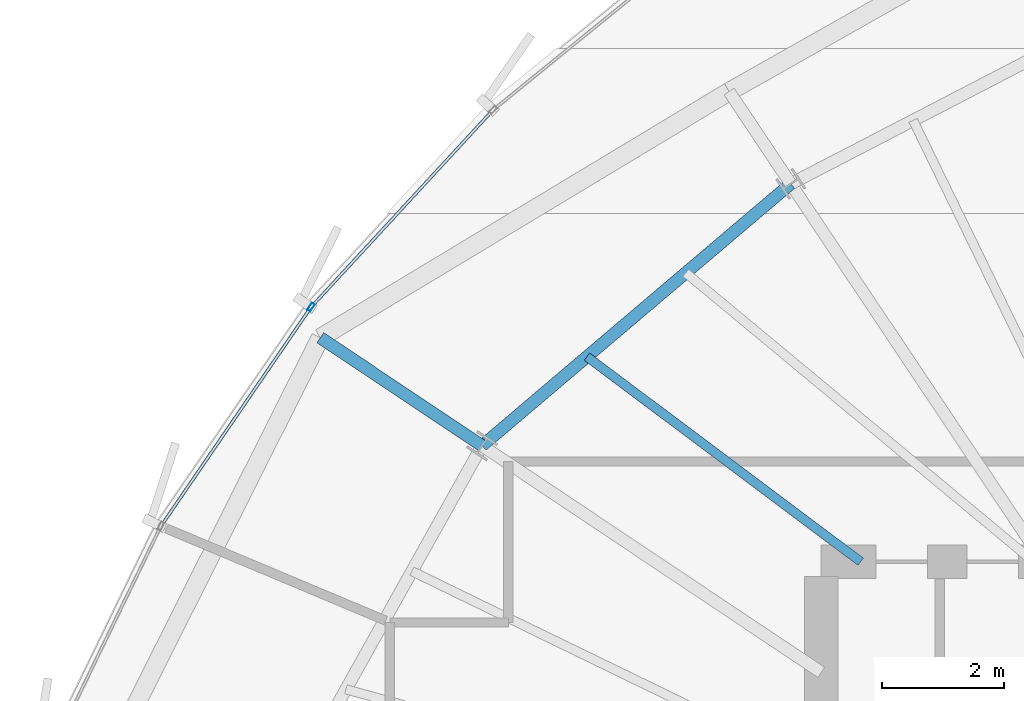
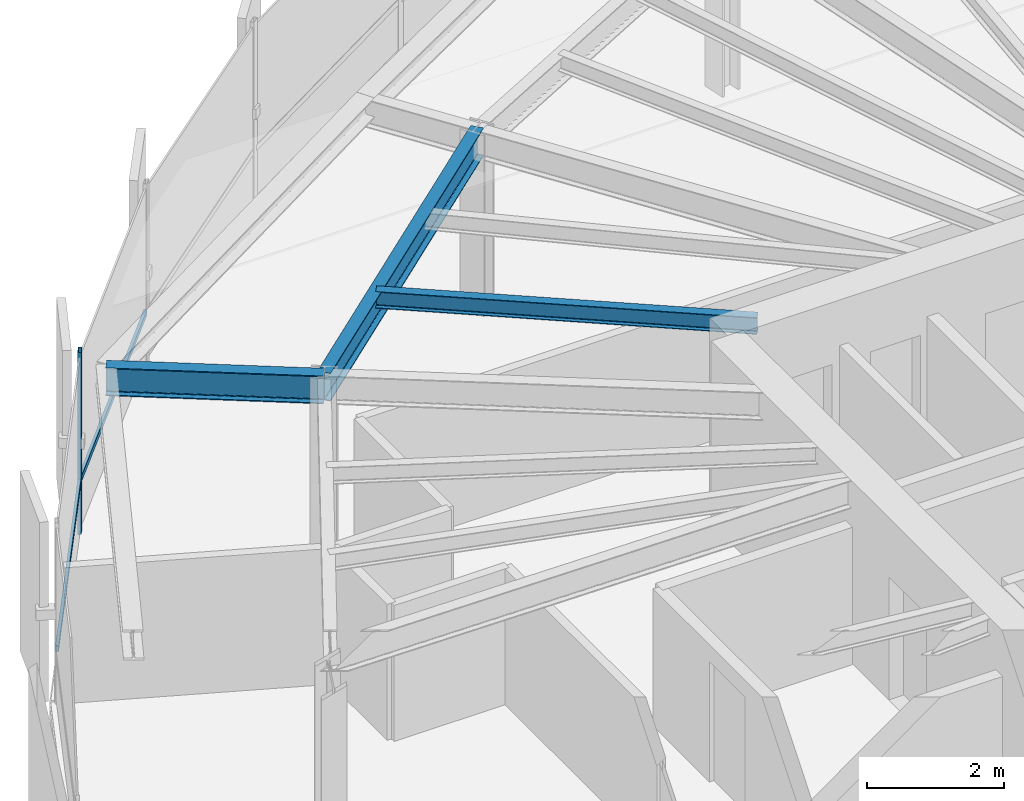
# One storey, part 18 of 34: 3 beams, 3 members, 1 element without a shape of its own.
"""IFC4 building model written with IfcOpenShell, lengths in metres."""

from ifc_helpers import new_model, si_unit, direction, frame, origin, origin_2d, place, context, subcontext, project, spatial, hollow_rectangle, i_section, extrude, source, transform, mapped, material, layer, layer_set, material_profile, profile_set, type_object, element, aggregate, save


model = new_model("IFC4")

# Units and contexts
model_context = context("Model", 3, precision=1e-05, world=origin(), true_north=direction((0.0, 1.0)))
body_context = subcontext(model_context, "Body", "Model", "MODEL_VIEW")
ifc_project = project(units=[si_unit("LENGTHUNIT", "METRE"), si_unit("AREAUNIT", "SQUARE_METRE"), si_unit("VOLUMEUNIT", "CUBIC_METRE"), si_unit("PLANEANGLEUNIT", "RADIAN"), si_unit("MASSUNIT", "GRAM", prefix="KILO"), si_unit("THERMODYNAMICTEMPERATUREUNIT", "KELVIN")], contexts=[model_context])

# Site, building, storey
site_placement = place(None, origin())
site = spatial("IfcSite", under=ifc_project, at=site_placement, CompositionType="ELEMENT")
building_placement = place(site_placement, origin())
building = spatial("IfcBuilding", under=site, at=building_placement, Name="Kethvar Cultural Tower", CompositionType="ELEMENT")
storey_placement = place(building_placement, frame((0.0, 0.0, 207.89990234375)))
storey = spatial("IfcBuildingStorey", under=building, at=storey_placement, Name="L54", CompositionType="ELEMENT", Elevation=207.89990234375)

# Beams
ifc_material_1 = material(Name="Steel S355J2", Category="steel")
ifc_material_profile_1 = material_profile(ifc_material_1, i_section(OverallWidth=0.199951171875, OverallDepth=0.5, WebThickness=0.01025390625, FlangeThickness=0.01611328125, FilletRadius=0.02099609375, at=origin_2d()), Name="Steel S355J2 — IPE500")
ifc_profile_set_1 = profile_set([ifc_material_profile_1], Name="Steel S355J2 — IPE500")
beam_type_1 = type_object("IfcBeamType", Name="BM-IPE500", PredefinedType="BEAM", material=ifc_profile_set_1)
shared_shape_1 = source(origin(), body_context, "Body", "SweptSolid", [
    extrude(i_section(OverallWidth=0.199951171875, OverallDepth=0.5, WebThickness=0.01025390625, FlangeThickness=0.01611328125, FilletRadius=0.02099609375, at=origin_2d()), origin(), (0.0, 0.0, 1.0), 3.199951171875),
])
beam_1_placement = place(storey_placement, frame((32.418212890625, 37.409423828125, 3.008056640625), z_axis=(-0.831462943996, 0.555580212716, 0.0), x_axis=(-0.555580212716, -0.831462943996, 0.0)))
element("IfcBeam", 1, at=beam_1_placement, inside=storey, type_object=beam_type_1, Name="L54 Perimeter Cantilever Beam RC-07", PredefinedType="BEAM", context=body_context, shape_type="MappedRepresentation", body=[
    mapped(shared_shape_1, transform((0.0, 0.0, 0.0), scale=1.0)),
])
shared_shape_2 = source(origin(), body_context, "Body", "SweptSolid", [
    extrude(i_section(OverallWidth=0.199951171875, OverallDepth=0.5, WebThickness=0.01025390625, FlangeThickness=0.01611328125, FilletRadius=0.02099609375, at=origin_2d()), origin(), (0.0, 0.0, 1.0), 6.6630859375),
])
beam_2_placement = place(storey_placement, frame((37.498779296875, 41.720458984375, 3.008056640625), z_axis=(-0.762490511547, -0.646999397064, 0.0), x_axis=(0.646999397064, -0.762490511547, 0.0)))
element("IfcBeam", 2, at=beam_2_placement, inside=storey, type_object=beam_type_1, Name="L54 Column Ring Tie Beam CR-06", PredefinedType="BEAM", context=body_context, shape_type="MappedRepresentation", body=[
    mapped(shared_shape_2, transform((0.0, 0.0, 0.0), scale=1.0)),
])
ifc_material_profile_2 = material_profile(ifc_material_1, i_section(OverallWidth=0.14990234375, OverallDepth=0.300048828125, WebThickness=0.007080078125, FlangeThickness=0.0107421875, FilletRadius=0.014892578125, at=origin_2d()), Name="Steel S355J2 — IPE300")
ifc_profile_set_2 = profile_set([ifc_material_profile_2], Name="Steel S355J2 — IPE300")
beam_type_2 = type_object("IfcBeamType", Name="BM-J300", PredefinedType="JOIST", material=ifc_profile_set_2)
shared_shape_3 = source(origin(), body_context, "Body", "SweptSolid", [
    extrude(i_section(OverallWidth=0.14990234375, OverallDepth=0.300048828125, WebThickness=0.007080078125, FlangeThickness=0.0107421875, FilletRadius=0.014892578125, at=origin_2d()), origin(), (0.0, 0.0, 1.0), 5.628662109375),
])
beam_3_placement = place(storey_placement, frame((38.64990234375, 35.5, 3.108154296875), z_axis=(-0.800260171956, 0.599652947279, 0.0), x_axis=(-0.599652947279, -0.800260171956, 0.0)))
element("IfcBeam", 3, at=beam_3_placement, inside=storey, type_object=beam_type_2, Name="L54 Composite Floor Joist J-06B", PredefinedType="JOIST", context=body_context, shape_type="MappedRepresentation", body=[
    mapped(shared_shape_3, transform((0.0, 0.0, 0.0), scale=1.0)),
])

# Curtain wall, members
ifc_material_2 = material(Name="Aluminium 6063-T6", Category="aluminium")
ifc_layer = layer(ifc_material_2, 0.179931640625, Name="Aluminium 6063-T6", Category="aluminium")
ifc_layer_set = layer_set([ifc_layer], Name="Aluminium 6063-T6 (180 mm)")
curtain_wall_type = type_object("IfcCurtainWallType", Name="CW-SYS-04-Z34", PredefinedType="NOTDEFINED", material=ifc_layer_set)
curtain_wall_placement = place(storey_placement, origin())
curtain_wall = element("IfcCurtainWall", 4, at=curtain_wall_placement, inside=storey, type_object=curtain_wall_type, Name="L54 Curtain Wall Run 02", PredefinedType="NOTDEFINED")
ifc_material_profile_3 = material_profile(ifc_material_2, hollow_rectangle(XDim=0.06005859375, YDim=0.139892578125, WallThickness=0.0048828125, at=origin_2d()), Name="Aluminium 6063-T6 — RHS140x60x5")
ifc_profile_set_3 = profile_set([ifc_material_profile_3], Name="Aluminium 6063-T6 — RHS140x60x5")
member_type_1 = type_object("IfcMemberType", Name="CW-SYS-04-Z34-MUL", PredefinedType="MULLION", material=ifc_profile_set_3)
shared_shape_4 = source(origin(), body_context, "Body", "SweptSolid", [
    extrude(hollow_rectangle(XDim=0.06005859375, YDim=0.139892578125, WallThickness=0.0048828125, at=origin_2d()), origin(), (0.0, 0.0, 1.0), 3.260009765625),
])
member_1_placement = place(storey_placement, frame((29.60400390625, 39.6904296875, 0.0), z_axis=(0.0, 0.0, 1.0), x_axis=(0.82499515377, -0.5651398024, 0.0)))
member_1 = element("IfcMember", 5, at=member_1_placement, type_object=member_type_1, Name="CW-L54-R02 Mullion 5", PredefinedType="MULLION", context=body_context, shape_type="MappedRepresentation", body=[
    mapped(shared_shape_4, transform((0.0, 0.0, 0.0), scale=1.0)),
])
ifc_material_profile_4 = material_profile(ifc_material_2, hollow_rectangle(XDim=0.050048828125, YDim=0.10009765625, WallThickness=0.00390625, at=origin_2d()), Name="Aluminium 6063-T6 — RHS100x50x4")
ifc_profile_set_4 = profile_set([ifc_material_profile_4], Name="Aluminium 6063-T6 — RHS100x50x4")
member_type_2 = type_object("IfcMemberType", Name="CW-SYS-04-Z34-TRN", PredefinedType="USERDEFINED", material=ifc_profile_set_4)
shared_shape_5 = source(origin(), body_context, "Body", "SweptSolid", [
    extrude(hollow_rectangle(XDim=0.050048828125, YDim=0.10009765625, WallThickness=0.00390625, at=origin_2d()), origin(), (0.0, 0.0, 1.0), 4.30078125),
])
member_2_placement = place(storey_placement, frame((29.57958984375, 39.65478515625, 0.9501953125), z_axis=(-0.565162047354, -0.824979915046, 0.0), x_axis=(0.824979915046, -0.565162047354, 0.0)))
member_2 = element("IfcMember", 6, at=member_2_placement, type_object=member_type_2, Name="CW-L54-R02 Transom 5", ObjectType="TRANSOM", PredefinedType="USERDEFINED", context=body_context, shape_type="MappedRepresentation", body=[
    mapped(shared_shape_5, transform((0.0, 0.0, 0.0), scale=1.0)),
])
shared_shape_6 = source(origin(), body_context, "Body", "SweptSolid", [
    extrude(hollow_rectangle(XDim=0.050048828125, YDim=0.10009765625, WallThickness=0.00390625, at=origin_2d()), origin(), (0.0, 0.0, 1.0), 4.344482421875),
])
member_3_placement = place(storey_placement, frame((32.5693359375, 42.902587890625, 0.9501953125), z_axis=(-0.678128374515, -0.734943472437, 0.0), x_axis=(0.734943472437, -0.678128374515, 0.0)))
member_3 = element("IfcMember", 7, at=member_3_placement, type_object=member_type_2, Name="CW-L54-R02 Transom 4", ObjectType="TRANSOM", PredefinedType="USERDEFINED", context=body_context, shape_type="MappedRepresentation", body=[
    mapped(shared_shape_6, transform((0.0, 0.0, 0.0), scale=1.0)),
])
aggregate(curtain_wall, [member_1, member_3, member_2])

save(model, "model.ifc")
